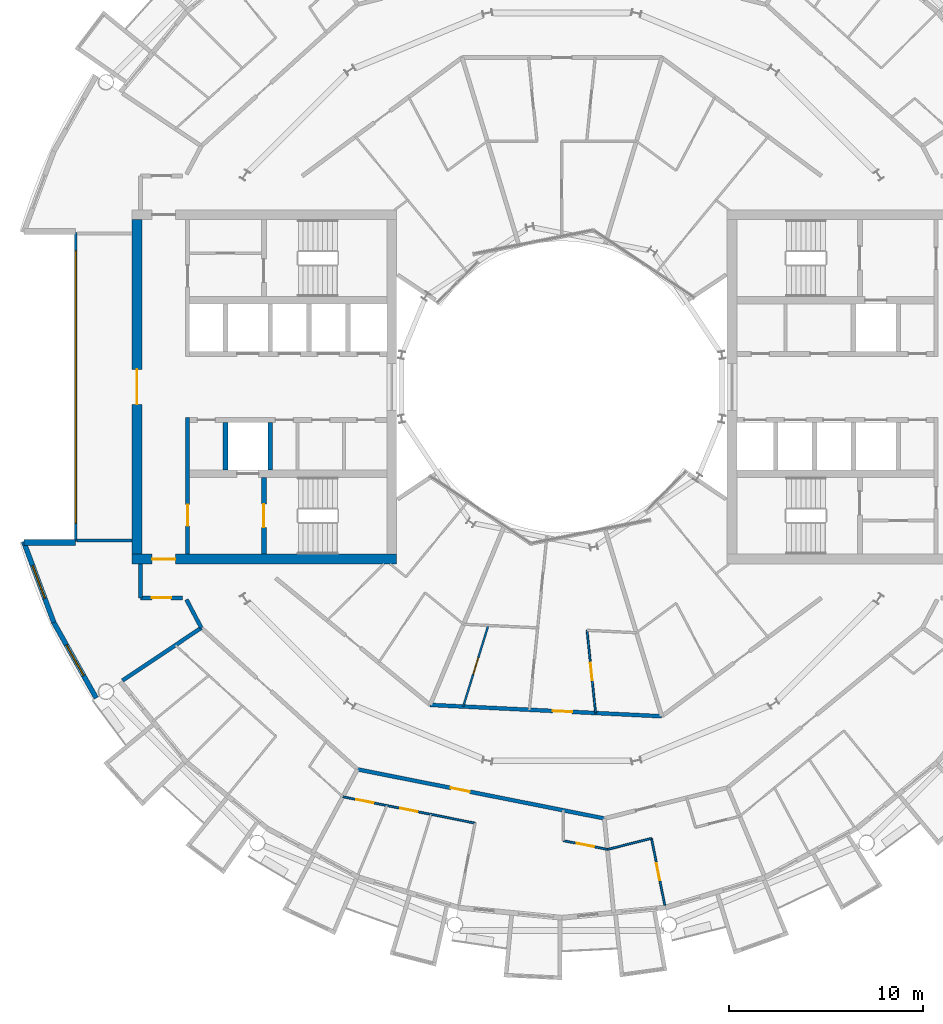
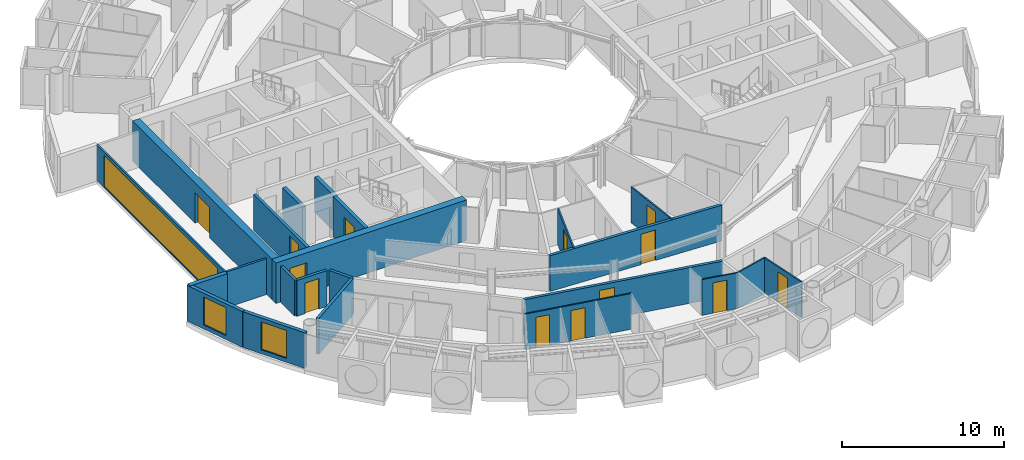
# One storey, part 15 of 26: 23 walls, 13 doors, 3 windows, 16 openings.
"""IFC4 building model written with IfcOpenShell, lengths in metres."""

from ifc_helpers import new_model, si_unit, direction, frame, frame_2d, origin, place, context, subcontext, project, spatial, rectangle, extrude, material, layer, layer_set, type_object, element, fill, save


model = new_model("IFC4")

# Units and contexts
model_context = context("Model", 3, precision=1e-05, world=origin(), true_north=direction((0.0, 1.0)))
body_context = subcontext(model_context, "Body", "Model", "MODEL_VIEW")
ifc_project = project(units=[si_unit("LENGTHUNIT", "METRE"), si_unit("AREAUNIT", "SQUARE_METRE"), si_unit("VOLUMEUNIT", "CUBIC_METRE"), si_unit("PLANEANGLEUNIT", "RADIAN"), si_unit("MASSUNIT", "GRAM", prefix="KILO")], contexts=[model_context])

# Site, building, storey
site_placement = place(None, origin())
site = spatial("IfcSite", under=ifc_project, at=site_placement, CompositionType="ELEMENT")
building_placement = place(site_placement, origin())
building = spatial("IfcBuilding", under=site, at=building_placement, Name="Maasbend Ring Residences", CompositionType="ELEMENT")
storey_placement = place(building_placement, frame((0.0, 0.0, 154.35009765625)))
storey = spatial("IfcBuildingStorey", under=building, at=storey_placement, Name="L44", CompositionType="ELEMENT", Elevation=154.35009765625)

# Wall, opening, door
ifc_material_1 = material(Name="Concrete C60/75", Category="concrete")
ifc_layer_1 = layer(ifc_material_1, 0.25)
ifc_layer_set_1 = layer_set([ifc_layer_1], Name="Concrete C60/75")
wall_type_1 = type_object("IfcWallType", Name="CORE WALL 250 C60/75", PredefinedType="SHEAR", material=ifc_layer_set_1)
wall_1_placement = place(storey_placement, frame((-15.324951171875, -4.64990234375, 0.0), z_axis=(0.0, 0.0, 1.0), x_axis=(0.0, -1.0, 0.0)))
wall_1 = element("IfcWall", 1, at=wall_1_placement, inside=storey, type_object=wall_type_1, Name="L44 core W wall STEN", PredefinedType="SHEAR", context=body_context, shape_type="SweptSolid", body=[
    extrude(rectangle(XDim=3.9501953125, YDim=0.25, at=frame_2d((1.97509765625, 0.0))), origin(), (0.0, 0.0, 1.0), 3.0498046875),
])
opening_1_placement = place(wall_1_placement, frame((1.375, 0.0, 0.0)))
opening_1 = element("IfcOpeningElement", 2, at=opening_1_placement, cuts=wall_1, Name="Opening D-W4411", PredefinedType="OPENING", context=body_context, shape_type="SweptSolid", body=[
    extrude(rectangle(XDim=1.199951171875, YDim=2.300048828125, at=frame_2d((0.60009765625, 1.14990234375))), frame((0.0, 0.135009765625, 0.0), z_axis=(0.0, -1.0, 0.0), x_axis=(1.0, 0.0, 0.0)), (0.0, 0.0, 1.0), 0.27001953125),
])
ifc_material_2 = material(Name="Steel, powder coated", Category="steel")
door_type_1 = type_object("IfcDoorType", Name="STAIR DOOR 1200 X 2300 FD60", OperationType="NOTDEFINED", PredefinedType="DOOR", material=ifc_material_2)
door_1_placement = place(opening_1_placement, origin())
door_1 = element("IfcDoor", 3, at=door_1_placement, inside=storey, type_object=door_type_1, Name="Stair door ST-W L44", OperationType="SINGLE_SWING_LEFT", OverallHeight=2.300048828125, OverallWidth=1.199951171875, PredefinedType="DOOR", context=body_context, shape_type="SweptSolid", body=[
    extrude(rectangle(XDim=1.199951171875, YDim=2.300048828125, at=frame_2d((0.60009765625, 1.14990234375))), frame((0.0, 0.02490234375, 0.0), z_axis=(0.0, -1.0, 0.0), x_axis=(1.0, 0.0, 0.0)), (0.0, 0.0, 1.0), 0.050048828125),
])
fill(opening_1, door_1)

ifc_material_3 = material(Name="Concrete C60/75", Category="concrete")
ifc_layer_2 = layer(ifc_material_3, 0.5)
ifc_layer_set_2 = layer_set([ifc_layer_2], Name="Concrete C60/75")
wall_type_2 = type_object("IfcWallType", Name="CORE WALL 500 C60/75", PredefinedType="SHEAR", material=ifc_layer_set_2)
wall_2_placement = place(storey_placement, frame((-22.10009765625, -8.85009765625, 0.0), z_axis=(0.0, 0.0, 1.0), x_axis=(1.0, 0.0, 0.0)))
wall_2 = element("IfcWall", 4, at=wall_2_placement, inside=storey, type_object=wall_type_2, Name="L44 core W wall PN", PredefinedType="SHEAR", context=body_context, shape_type="SweptSolid", body=[
    extrude(rectangle(XDim=13.60009765625, YDim=0.5, at=frame_2d((6.800048828125, 0.0))), origin(), (0.0, 0.0, 1.0), 3.0498046875),
])
opening_2_placement = place(wall_2_placement, frame((1.02490234375, 0.0, 0.0)))
opening_2 = element("IfcOpeningElement", 5, at=opening_2_placement, cuts=wall_2, Name="Opening D-W4415", PredefinedType="OPENING", context=body_context, shape_type="SweptSolid", body=[
    extrude(rectangle(XDim=1.199951171875, YDim=2.300048828125, at=frame_2d((0.60009765625, 1.14990234375))), frame((0.0, 0.260009765625, 0.0), z_axis=(0.0, -1.0, 0.0), x_axis=(1.0, 0.0, 0.0)), (0.0, 0.0, 1.0), 0.52001953125),
])
ifc_material_4 = material(Name="Steel, powder coated", Category="steel")
door_type_2 = type_object("IfcDoorType", Name="CORRIDOR DOOR 1200 X 2300 FD30S", OperationType="NOTDEFINED", PredefinedType="DOOR", material=ifc_material_4)
door_2_placement = place(opening_2_placement, origin())
door_2 = element("IfcDoor", 6, at=door_2_placement, inside=storey, type_object=door_type_2, Name="Corridor door L44", OperationType="SINGLE_SWING_RIGHT", OverallHeight=2.300048828125, OverallWidth=1.199951171875, PredefinedType="DOOR", context=body_context, shape_type="SweptSolid", body=[
    extrude(rectangle(XDim=1.199951171875, YDim=2.300048828125, at=frame_2d((0.60009765625, 1.14990234375))), frame((0.0, 0.02490234375, 0.0), z_axis=(0.0, -1.0, 0.0), x_axis=(1.0, 0.0, 0.0)), (0.0, 0.0, 1.0), 0.050048828125),
])
fill(opening_2, door_2)

wall_3_placement = place(storey_placement, frame((-21.85009765625, -8.60009765625, 0.0), z_axis=(0.0, 0.0, 1.0), x_axis=(0.0, 1.0, 0.0)))
wall_3 = element("IfcWall", 7, at=wall_3_placement, inside=storey, type_object=wall_type_2, Name="L44 core W wall POUT", PredefinedType="SHEAR", context=body_context, shape_type="SweptSolid", body=[
    extrude(rectangle(XDim=17.2001953125, YDim=0.5, at=frame_2d((8.60009765625, 0.0))), origin(), (0.0, 0.0, 1.0), 3.0498046875),
])
opening_3_placement = place(wall_3_placement, frame((7.699951171875, 0.0, 0.0)))
opening_3 = element("IfcOpeningElement", 8, at=opening_3_placement, cuts=wall_3, Name="Opening D-W4417", PredefinedType="OPENING", context=body_context, shape_type="SweptSolid", body=[
    extrude(rectangle(XDim=1.800048828125, YDim=2.300048828125, at=frame_2d((0.89990234375, 1.14990234375))), frame((0.0, 0.260009765625, 0.0), z_axis=(0.0, -1.0, 0.0), x_axis=(1.0, 0.0, 0.0)), (0.0, 0.0, 1.0), 0.52001953125),
])
ifc_material_5 = material(Name="Aluminium frame, clear glass", Category="aluminium")
door_type_3 = type_object("IfcDoorType", Name="ENTRANCE DOOR 1800 X 2300 FD60", OperationType="NOTDEFINED", PredefinedType="DOOR", material=ifc_material_5)
door_3_placement = place(opening_3_placement, origin())
door_3 = element("IfcDoor", 9, at=door_3_placement, inside=storey, type_object=door_type_3, Name="Lobby glazed door L44", OperationType="SINGLE_SWING_LEFT", OverallHeight=2.300048828125, OverallWidth=1.800048828125, PredefinedType="DOOR", context=body_context, shape_type="SweptSolid", body=[
    extrude(rectangle(XDim=1.800048828125, YDim=2.300048828125, at=frame_2d((0.89990234375, 1.14990234375))), frame((0.0, 0.02490234375, 0.0), z_axis=(0.0, -1.0, 0.0), x_axis=(1.0, 0.0, 0.0)), (0.0, 0.0, 1.0), 0.050048828125),
])
fill(opening_3, door_3)

# Wall
ifc_material_6 = material(Name="Concrete C30/37", Category="concrete")
ifc_layer_3 = layer(ifc_material_6, 0.199951171875)
ifc_layer_set_3 = layer_set([ifc_layer_3], Name="Concrete C30/37")
wall_type_3 = type_object("IfcWallType", Name="CORRIDOR WALL 200 CONCRETE", PredefinedType="PARTITIONING", material=ifc_layer_set_3)
wall_4_placement = place(storey_placement, frame((-19.306884765625, -10.93505859375, 0.0), z_axis=(0.0, 0.0, 1.0), x_axis=(0.465605550524, -0.884992356646, 0.0)))
element("IfcWall", 10, at=wall_4_placement, inside=storey, type_object=wall_type_3, Name="U-L44-w009", PredefinedType="PARTITIONING", context=body_context, shape_type="SweptSolid", body=[
    extrude(rectangle(XDim=1.642822265625, YDim=0.199951171875, at=frame_2d((0.8212890625, 0.0))), origin(), (0.0, 0.0, 1.0), 2.699951171875),
])

# Wall, opening, door
wall_5_placement = place(storey_placement, frame((-10.511962890625, -19.6669921875, 0.0), z_axis=(0.0, 0.0, 1.0), x_axis=(0.980780341017, -0.195115152343, 0.0)))
wall_5 = element("IfcWall", 11, at=wall_5_placement, inside=storey, type_object=wall_type_3, Name="U-L44-w015", PredefinedType="PARTITIONING", context=body_context, shape_type="SweptSolid", body=[
    extrude(rectangle(XDim=12.94677734375, YDim=0.199951171875, at=frame_2d((6.473388671875, 0.0))), origin(), (0.0, 0.0, 1.0), 2.699951171875),
])
opening_4_placement = place(wall_5_placement, frame((4.89404296875, 0.0, 0.0)))
opening_4 = element("IfcOpeningElement", 12, at=opening_4_placement, cuts=wall_5, Name="Opening D-4438", PredefinedType="OPENING", context=body_context, shape_type="SweptSolid", body=[
    extrude(rectangle(XDim=1.0, YDim=2.300048828125, at=frame_2d((0.5, 1.14990234375))), frame((0.0, 0.10986328125, 0.0), z_axis=(0.0, -1.0, 0.0), x_axis=(1.0, 0.0, 0.0)), (0.0, 0.0, 1.0), 0.219970703125),
])
ifc_material_7 = material(Name="Timber, fire-rated, painted", Category="wood")
door_type_4 = type_object("IfcDoorType", Name="FLAT ENTRANCE DOOR 1000 X 2300 FIRE-RATED", OperationType="NOTDEFINED", PredefinedType="DOOR", material=ifc_material_7)
door_4_placement = place(opening_4_placement, origin())
door_4 = element("IfcDoor", 13, at=door_4_placement, inside=storey, type_object=door_type_4, Name="D-4438", OperationType="SINGLE_SWING_LEFT", OverallHeight=2.300048828125, OverallWidth=1.0, PredefinedType="DOOR", context=body_context, shape_type="SweptSolid", body=[
    extrude(rectangle(XDim=1.0, YDim=2.300048828125, at=frame_2d((0.5, 1.14990234375))), frame((0.0, 0.02490234375, 0.0), z_axis=(0.0, -1.0, 0.0), x_axis=(1.0, 0.0, 0.0)), (0.0, 0.0, 1.0), 0.050048828125),
])
fill(opening_4, door_4)

wall_6_placement = place(storey_placement, frame((-6.778076171875, -16.35302734375, 0.0), z_axis=(0.0, 0.0, 1.0), x_axis=(0.998797244, -0.049031269395, 0.0)))
wall_6 = element("IfcWall", 14, at=wall_6_placement, inside=storey, type_object=wall_type_3, Name="U-L44-w018", PredefinedType="PARTITIONING", context=body_context, shape_type="SweptSolid", body=[
    extrude(rectangle(XDim=11.930419921875, YDim=0.199951171875, at=frame_2d((5.96533203125, 0.0))), origin(), (0.0, 0.0, 1.0), 2.699951171875),
])
opening_5_placement = place(wall_6_placement, frame((6.321044921875, 0.0, 0.0)))
opening_5 = element("IfcOpeningElement", 15, at=opening_5_placement, cuts=wall_6, Name="Opening D-4455", PredefinedType="OPENING", context=body_context, shape_type="SweptSolid", body=[
    extrude(rectangle(XDim=1.0, YDim=2.300048828125, at=frame_2d((0.5, 1.14990234375))), frame((0.0, 0.10986328125, 0.0), z_axis=(0.0, -1.0, 0.0), x_axis=(1.0, 0.0, 0.0)), (0.0, 0.0, 1.0), 0.219970703125),
])
door_5_placement = place(opening_5_placement, origin())
door_5 = element("IfcDoor", 16, at=door_5_placement, inside=storey, type_object=door_type_4, Name="D-4455", OperationType="SINGLE_SWING_RIGHT", OverallHeight=2.300048828125, OverallWidth=1.0, PredefinedType="DOOR", context=body_context, shape_type="SweptSolid", body=[
    extrude(rectangle(XDim=1.0, YDim=2.300048828125, at=frame_2d((0.5, 1.14990234375))), frame((0.0, 0.02490234375, 0.0), z_axis=(0.0, -1.0, 0.0), x_axis=(1.0, 0.0, 0.0)), (0.0, 0.0, 1.0), 0.050048828125),
])
fill(opening_5, door_5)

wall_7_placement = place(storey_placement, frame((-21.675048828125, -10.85009765625, 0.0), z_axis=(0.0, 0.0, 1.0), x_axis=(1.0, 0.0, 0.0)))
wall_7 = element("IfcWall", 17, at=wall_7_placement, inside=storey, type_object=wall_type_3, Name="U-L44-w026", PredefinedType="PARTITIONING", context=body_context, shape_type="SweptSolid", body=[
    extrude(rectangle(XDim=2.171142578125, YDim=0.199951171875, at=frame_2d((1.08544921875, 0.0))), origin(), (0.0, 0.0, 1.0), 2.699951171875),
])
opening_6_placement = place(wall_7_placement, frame((0.5849609375, 0.0, 0.0)))
opening_6 = element("IfcOpeningElement", 18, at=opening_6_placement, cuts=wall_7, Name="Opening D-4464", PredefinedType="OPENING", context=body_context, shape_type="SweptSolid", body=[
    extrude(rectangle(XDim=1.0, YDim=2.300048828125, at=frame_2d((0.5, 1.14990234375))), frame((0.0, 0.10986328125, 0.0), z_axis=(0.0, -1.0, 0.0), x_axis=(1.0, 0.0, 0.0)), (0.0, 0.0, 1.0), 0.219970703125),
])
ifc_material_8 = material(Name="Timber, painted", Category="wood")
door_type_5 = type_object("IfcDoorType", Name="ROOM DOOR 1000 X 2300", OperationType="NOTDEFINED", PredefinedType="DOOR", material=ifc_material_8)
door_6_placement = place(opening_6_placement, origin())
door_6 = element("IfcDoor", 19, at=door_6_placement, inside=storey, type_object=door_type_5, Name="D-4464", OperationType="SINGLE_SWING_LEFT", OverallHeight=2.300048828125, OverallWidth=1.0, PredefinedType="DOOR", context=body_context, shape_type="SweptSolid", body=[
    extrude(rectangle(XDim=1.0, YDim=2.300048828125, at=frame_2d((0.5, 1.14990234375))), frame((0.0, 0.02490234375, 0.0), z_axis=(0.0, -1.0, 0.0), x_axis=(1.0, 0.0, 0.0)), (0.0, 0.0, 1.0), 0.050048828125),
])
fill(opening_6, door_6)

# Wall
wall_8_placement = place(storey_placement, frame((-21.675048828125, -10.85009765625, 0.0), z_axis=(0.0, 0.0, 1.0), x_axis=(0.0, 1.0, 0.0)))
element("IfcWall", 20, at=wall_8_placement, inside=storey, type_object=wall_type_3, Name="U-L44-w106", PredefinedType="PARTITIONING", context=body_context, shape_type="SweptSolid", body=[
    extrude(rectangle(XDim=1.75, YDim=0.199951171875, at=frame_2d((0.875, 0.0))), origin(), (0.0, 0.0, 1.0), 2.699951171875),
])

# Wall, opening, window
ifc_material_9 = material(Name="Aluminium clad insulated panel", Category="aluminium")
ifc_layer_4 = layer(ifc_material_9, 0.25)
ifc_layer_set_4 = layer_set([ifc_layer_4], Name="EW-HORN")
wall_type_4 = type_object("IfcWallType", Name="EW-HORN", PredefinedType="SOLIDWALL", material=ifc_layer_set_4)
wall_9_placement = place(storey_placement, frame((-27.681884765625, -7.945068359375, 0.0), z_axis=(0.0, 0.0, 1.0), x_axis=(0.349247811493, -0.937030397675, 0.0)))
wall_9 = element("IfcWall", 21, at=wall_9_placement, inside=storey, type_object=wall_type_4, Name="Horn wall 3.1", PredefinedType="SOLIDWALL", context=body_context, shape_type="SweptSolid", body=[
    extrude(rectangle(XDim=4.4521484375, YDim=0.25, at=frame_2d((2.22607421875, 0.0))), origin(), (0.0, 0.0, 1.0), 2.699951171875),
])
opening_7_placement = place(wall_9_placement, frame((1.32666015625, 0.0, 0.300048828125)))
opening_7 = element("IfcOpeningElement", 22, at=opening_7_placement, cuts=wall_9, Name="Opening W-BX", PredefinedType="OPENING", context=body_context, shape_type="SweptSolid", body=[
    extrude(rectangle(XDim=1.800048828125, YDim=2.10009765625, at=frame_2d((0.89990234375, 1.050048828125))), frame((0.0, 0.135009765625, 0.0), z_axis=(0.0, -1.0, 0.0), x_axis=(1.0, 0.0, 0.0)), (0.0, 0.0, 1.0), 0.27001953125),
])
ifc_material_10 = material(Name="Aluminium and clear glass", Category="aluminium")
window_type_1 = type_object("IfcWindowType", Name="W-BX", PartitioningType="DOUBLE_PANEL_VERTICAL", PredefinedType="WINDOW", material=ifc_material_10)
window_1_placement = place(opening_7_placement, origin())
window_1 = element("IfcWindow", 23, at=window_1_placement, inside=storey, type_object=window_type_1, Name="Horn window 3.1", OverallHeight=2.10009765625, OverallWidth=1.800048828125, PartitioningType="SINGLE_PANEL", PredefinedType="WINDOW", context=body_context, shape_type="SweptSolid", body=[
    extrude(rectangle(XDim=1.800048828125, YDim=2.10009765625, at=frame_2d((0.89990234375, 1.050048828125))), frame((0.0, 0.030029296875, 0.0), z_axis=(0.0, -1.0, 0.0), x_axis=(1.0, 0.0, 0.0)), (0.0, 0.0, 1.0), 0.06005859375),
])
fill(opening_7, window_1)

wall_10_placement = place(storey_placement, frame((-26.126953125, -12.116943359375, 0.0), z_axis=(0.0, 0.0, 1.0), x_axis=(0.489696356642, -0.871893042919, 0.0)))
wall_10 = element("IfcWall", 24, at=wall_10_placement, inside=storey, type_object=wall_type_4, Name="Horn wall 3.2", PredefinedType="SOLIDWALL", context=body_context, shape_type="SweptSolid", body=[
    extrude(rectangle(XDim=4.45361328125, YDim=0.25, at=frame_2d((2.226806640625, 0.0))), origin(), (0.0, 0.0, 1.0), 2.699951171875),
])
opening_8_placement = place(wall_10_placement, frame((1.32666015625, 0.0, 0.300048828125)))
opening_8 = element("IfcOpeningElement", 25, at=opening_8_placement, cuts=wall_10, Name="Opening W-BX", PredefinedType="OPENING", context=body_context, shape_type="SweptSolid", body=[
    extrude(rectangle(XDim=1.800048828125, YDim=2.10009765625, at=frame_2d((0.89990234375, 1.050048828125))), frame((0.0, 0.135009765625, 0.0), z_axis=(0.0, -1.0, 0.0), x_axis=(1.0, 0.0, 0.0)), (0.0, 0.0, 1.0), 0.27001953125),
])
window_2_placement = place(opening_8_placement, origin())
window_2 = element("IfcWindow", 26, at=window_2_placement, inside=storey, type_object=window_type_1, Name="Horn window 3.2", OverallHeight=2.10009765625, OverallWidth=1.800048828125, PartitioningType="SINGLE_PANEL", PredefinedType="WINDOW", context=body_context, shape_type="SweptSolid", body=[
    extrude(rectangle(XDim=1.800048828125, YDim=2.10009765625, at=frame_2d((0.89990234375, 1.050048828125))), frame((0.0, 0.030029296875, 0.0), z_axis=(0.0, -1.0, 0.0), x_axis=(1.0, 0.0, 0.0)), (0.0, 0.0, 1.0), 0.06005859375),
])
fill(opening_8, window_2)

# Wall
ifc_material_11 = material(Name="Aluminium clad insulated panel", Category="aluminium")
ifc_layer_5 = layer(ifc_material_11, 0.300048828125)
ifc_layer_set_5 = layer_set([ifc_layer_5], Name="EW-RET")
wall_type_5 = type_object("IfcWallType", Name="EW-RET", PredefinedType="SOLIDWALL", material=ifc_layer_set_5)
wall_11_placement = place(storey_placement, frame((-25.0, -8.0, 0.0), z_axis=(0.0, 0.0, 1.0), x_axis=(-1.0, 0.0, 0.0)))
element("IfcWall", 27, at=wall_11_placement, inside=storey, type_object=wall_type_5, Name="Notch return wall west south", PredefinedType="SOLIDWALL", context=body_context, shape_type="SweptSolid", body=[
    extrude(rectangle(XDim=2.6669921875, YDim=0.300048828125, at=frame_2d((1.33349609375, 0.0))), origin(), (0.0, 0.0, 1.0), 2.699951171875),
])

# Wall, opening, window
ifc_material_12 = material(Name="Aluminium frame and clear glass", Category="aluminium")
ifc_layer_6 = layer(ifc_material_12, 0.1201171875)
ifc_layer_set_6 = layer_set([ifc_layer_6], Name="GLAZED SCREEN WALL 120 EI 60")
wall_type_6 = type_object("IfcWallType", Name="GLAZED SCREEN WALL 120 EI 60", PredefinedType="PARTITIONING", material=ifc_layer_set_6)
wall_12_placement = place(storey_placement, frame((-25.0, 7.949951171875, 0.0), z_axis=(0.0, 0.0, 1.0), x_axis=(0.0, -1.0, 0.0)))
wall_12 = element("IfcWall", 28, at=wall_12_placement, inside=storey, type_object=wall_type_6, Name="L44 core W wall FACE", PredefinedType="PARTITIONING", context=body_context, shape_type="SweptSolid", body=[
    extrude(rectangle(XDim=15.89990234375, YDim=0.1201171875, at=frame_2d((7.949951171875, 0.0))), origin(), (0.0, 0.0, 1.0), 2.699951171875),
])
opening_9_placement = place(wall_12_placement, frame((0.949951171875, 0.0, 0.10009765625)))
opening_9 = element("IfcOpeningElement", 29, at=opening_9_placement, cuts=wall_12, Name="Opening W-W4402", PredefinedType="OPENING", context=body_context, shape_type="SweptSolid", body=[
    extrude(rectangle(XDim=14.0, YDim=2.35009765625, at=frame_2d((7.0, 1.175048828125))), frame((0.0, 0.070068359375, 0.0), z_axis=(0.0, -1.0, 0.0), x_axis=(1.0, 0.0, 0.0)), (0.0, 0.0, 1.0), 0.14013671875),
])
ifc_material_13 = material(Name="Aluminium frame and clear glass", Category="aluminium")
window_type_2 = type_object("IfcWindowType", Name="FIXED WINDOW 14000 X 2350", PartitioningType="SINGLE_PANEL", PredefinedType="WINDOW", material=ifc_material_13)
window_3_placement = place(opening_9_placement, origin())
window_3 = element("IfcWindow", 30, at=window_3_placement, inside=storey, type_object=window_type_2, Name="Lobby window L44", OverallHeight=2.35009765625, OverallWidth=14.0, PartitioningType="SINGLE_PANEL", PredefinedType="WINDOW", context=body_context, shape_type="SweptSolid", body=[
    extrude(rectangle(XDim=14.0, YDim=2.35009765625, at=frame_2d((7.0, 1.175048828125))), frame((0.0, 0.030029296875, 0.0), z_axis=(0.0, -1.0, 0.0), x_axis=(1.0, 0.0, 0.0)), (0.0, 0.0, 1.0), 0.06005859375),
])
fill(opening_9, window_3)

# Wall
ifc_material_14 = material(Name="Gypsum board on steel studs", Category="steel")
ifc_layer_7 = layer(ifc_material_14, 0.10009765625)
ifc_layer_set_7 = layer_set([ifc_layer_7], Name="PARTITION 100 GYPSUM")
wall_type_7 = type_object("IfcWallType", Name="PARTITION 100 GYPSUM", PredefinedType="PARTITIONING", material=ifc_layer_set_7)
wall_13_placement = place(storey_placement, frame((2.341064453125, -23.784912109375, 0.0), z_axis=(0.0, 0.0, 1.0), x_axis=(0.970124059177, 0.242609376996, 0.0)))
element("IfcWall", 31, at=wall_13_placement, inside=storey, type_object=wall_type_7, Name="U-L44-w001", PredefinedType="PARTITIONING", context=body_context, shape_type="SweptSolid", body=[
    extrude(rectangle(XDim=2.336669921875, YDim=0.10009765625, at=frame_2d((1.16845703125, 0.0))), origin(), (0.0, 0.0, 1.0), 2.699951171875),
])

# Wall, openings, doors
wall_14_placement = place(storey_placement, frame((-11.263916015625, -21.080078125, 0.0), z_axis=(0.0, 0.0, 1.0), x_axis=(0.980795304313, -0.195039921651, 0.0)))
wall_14 = element("IfcWall", 32, at=wall_14_placement, inside=storey, type_object=wall_type_7, Name="U-L44-w005", PredefinedType="PARTITIONING", context=body_context, shape_type="SweptSolid", body=[
    extrude(rectangle(XDim=6.937255859375, YDim=0.10009765625, at=frame_2d((3.46875, 0.0))), origin(), (0.0, 0.0, 1.0), 2.699951171875),
])
opening_10_placement = place(wall_14_placement, frame((3.01611328125, 0.0, 0.0)))
opening_10 = element("IfcOpeningElement", 33, at=opening_10_placement, cuts=wall_14, Name="Opening D-4441", PredefinedType="OPENING", context=body_context, shape_type="SweptSolid", body=[
    extrude(rectangle(XDim=0.89990234375, YDim=2.300048828125, at=frame_2d((0.449951171875, 1.14990234375))), frame((0.0, 0.06005859375, 0.0), z_axis=(0.0, -1.0, 0.0), x_axis=(1.0, 0.0, 0.0)), (0.0, 0.0, 1.0), 0.1201171875),
])
opening_11_placement = place(wall_14_placement, frame((0.7041015625, 0.0, 0.0)))
opening_11 = element("IfcOpeningElement", 34, at=opening_11_placement, cuts=wall_14, Name="Opening D-4442", PredefinedType="OPENING", context=body_context, shape_type="SweptSolid", body=[
    extrude(rectangle(XDim=0.89990234375, YDim=2.300048828125, at=frame_2d((0.449951171875, 1.14990234375))), frame((0.0, 0.06005859375, 0.0), z_axis=(0.0, -1.0, 0.0), x_axis=(1.0, 0.0, 0.0)), (0.0, 0.0, 1.0), 0.1201171875),
])
ifc_material_15 = material(Name="Timber, painted", Category="wood")
door_type_6 = type_object("IfcDoorType", Name="INTERNAL DOOR 900 X 2300", OperationType="NOTDEFINED", PredefinedType="DOOR", material=ifc_material_15)
door_7_placement = place(opening_10_placement, origin())
door_7 = element("IfcDoor", 35, at=door_7_placement, inside=storey, type_object=door_type_6, Name="D-4441", OperationType="SINGLE_SWING_LEFT", OverallHeight=2.300048828125, OverallWidth=0.89990234375, PredefinedType="DOOR", context=body_context, shape_type="SweptSolid", body=[
    extrude(rectangle(XDim=0.89990234375, YDim=2.300048828125, at=frame_2d((0.449951171875, 1.14990234375))), frame((0.0, 0.02490234375, 0.0), z_axis=(0.0, -1.0, 0.0), x_axis=(1.0, 0.0, 0.0)), (0.0, 0.0, 1.0), 0.050048828125),
])
fill(opening_10, door_7)
door_8_placement = place(opening_11_placement, origin())
door_8 = element("IfcDoor", 36, at=door_8_placement, inside=storey, type_object=door_type_6, Name="D-4442", OperationType="SINGLE_SWING_LEFT", OverallHeight=2.300048828125, OverallWidth=0.89990234375, PredefinedType="DOOR", context=body_context, shape_type="SweptSolid", body=[
    extrude(rectangle(XDim=0.89990234375, YDim=2.300048828125, at=frame_2d((0.449951171875, 1.14990234375))), frame((0.0, 0.02490234375, 0.0), z_axis=(0.0, -1.0, 0.0), x_axis=(1.0, 0.0, 0.0)), (0.0, 0.0, 1.0), 0.050048828125),
])
fill(opening_11, door_8)

# Wall, opening, door
wall_15_placement = place(storey_placement, frame((0.073974609375, -23.333984375, 0.0), z_axis=(0.0, 0.0, 1.0), x_axis=(0.98081942231, -0.194918600496, 0.0)))
wall_15 = element("IfcWall", 37, at=wall_15_placement, inside=storey, type_object=wall_type_7, Name="U-L44-w006", PredefinedType="PARTITIONING", context=body_context, shape_type="SweptSolid", body=[
    extrude(rectangle(XDim=2.3134765625, YDim=0.10009765625, at=frame_2d((1.15673828125, 0.0))), origin(), (0.0, 0.0, 1.0), 2.699951171875),
])
opening_12_placement = place(wall_15_placement, frame((0.70703125, 0.0, 0.0)))
opening_12 = element("IfcOpeningElement", 38, at=opening_12_placement, cuts=wall_15, Name="Opening D-4439", PredefinedType="OPENING", context=body_context, shape_type="SweptSolid", body=[
    extrude(rectangle(XDim=0.89990234375, YDim=2.300048828125, at=frame_2d((0.449951171875, 1.14990234375))), frame((0.0, 0.06005859375, 0.0), z_axis=(0.0, -1.0, 0.0), x_axis=(1.0, 0.0, 0.0)), (0.0, 0.0, 1.0), 0.1201171875),
])
door_9_placement = place(opening_12_placement, origin())
door_9 = element("IfcDoor", 39, at=door_9_placement, inside=storey, type_object=door_type_6, Name="D-4439", OperationType="SINGLE_SWING_RIGHT", OverallHeight=2.300048828125, OverallWidth=0.89990234375, PredefinedType="DOOR", context=body_context, shape_type="SweptSolid", body=[
    extrude(rectangle(XDim=0.89990234375, YDim=2.300048828125, at=frame_2d((0.449951171875, 1.14990234375))), frame((0.0, 0.02490234375, 0.0), z_axis=(0.0, -1.0, 0.0), x_axis=(1.0, 0.0, 0.0)), (0.0, 0.0, 1.0), 0.050048828125),
])
fill(opening_12, door_9)

wall_16_placement = place(storey_placement, frame((-5.072021484375, -16.43603515625, 0.0), z_axis=(0.0, 0.0, 1.0), x_axis=(0.294934866503, 0.955517359612, 0.0)))
wall_16 = element("IfcWall", 40, at=wall_16_placement, inside=storey, type_object=wall_type_7, Name="U-L44-w056", PredefinedType="PARTITIONING", context=body_context, shape_type="SweptSolid", body=[
    extrude(rectangle(XDim=4.364013671875, YDim=0.10009765625, at=frame_2d((2.18212890625, 0.0))), origin(), (0.0, 0.0, 1.0), 2.699951171875),
])
opening_13_placement = place(wall_16_placement, frame((1.73193359375, 0.0, 0.0)))
opening_13 = element("IfcOpeningElement", 41, at=opening_13_placement, cuts=wall_16, Name="Opening D-4458", PredefinedType="OPENING", context=body_context, shape_type="SweptSolid", body=[
    extrude(rectangle(XDim=0.89990234375, YDim=2.300048828125, at=frame_2d((0.449951171875, 1.14990234375))), frame((0.0, 0.06005859375, 0.0), z_axis=(0.0, -1.0, 0.0), x_axis=(1.0, 0.0, 0.0)), (0.0, 0.0, 1.0), 0.1201171875),
])
door_10_placement = place(opening_13_placement, origin())
door_10 = element("IfcDoor", 42, at=door_10_placement, inside=storey, type_object=door_type_6, Name="D-4458", OperationType="SINGLE_SWING_RIGHT", OverallHeight=2.300048828125, OverallWidth=0.89990234375, PredefinedType="DOOR", context=body_context, shape_type="SweptSolid", body=[
    extrude(rectangle(XDim=0.89990234375, YDim=2.300048828125, at=frame_2d((0.449951171875, 1.14990234375))), frame((0.0, 0.02490234375, 0.0), z_axis=(0.0, -1.0, 0.0), x_axis=(1.0, 0.0, 0.0)), (0.0, 0.0, 1.0), 0.050048828125),
])
fill(opening_13, door_10)

wall_17_placement = place(storey_placement, frame((1.294921875, -12.514892578125, 0.0), z_axis=(0.0, 0.0, 1.0), x_axis=(0.102875790791, -0.994694210131, 0.0)))
wall_17 = element("IfcWall", 43, at=wall_17_placement, inside=storey, type_object=wall_type_7, Name="U-L44-w064", PredefinedType="PARTITIONING", context=body_context, shape_type="SweptSolid", body=[
    extrude(rectangle(XDim=4.27880859375, YDim=0.10009765625, at=frame_2d((2.139404296875, 0.0))), origin(), (0.0, 0.0, 1.0), 2.699951171875),
])
opening_14_placement = place(wall_17_placement, frame((1.68896484375, 0.0, 0.0)))
opening_14 = element("IfcOpeningElement", 44, at=opening_14_placement, cuts=wall_17, Name="Opening D-4456", PredefinedType="OPENING", context=body_context, shape_type="SweptSolid", body=[
    extrude(rectangle(XDim=0.89990234375, YDim=2.300048828125, at=frame_2d((0.449951171875, 1.14990234375))), frame((0.0, 0.06005859375, 0.0), z_axis=(0.0, -1.0, 0.0), x_axis=(1.0, 0.0, 0.0)), (0.0, 0.0, 1.0), 0.1201171875),
])
door_11_placement = place(opening_14_placement, origin())
door_11 = element("IfcDoor", 45, at=door_11_placement, inside=storey, type_object=door_type_6, Name="D-4456", OperationType="SINGLE_SWING_RIGHT", OverallHeight=2.300048828125, OverallWidth=0.89990234375, PredefinedType="DOOR", context=body_context, shape_type="SweptSolid", body=[
    extrude(rectangle(XDim=0.89990234375, YDim=2.300048828125, at=frame_2d((0.449951171875, 1.14990234375))), frame((0.0, 0.02490234375, 0.0), z_axis=(0.0, -1.0, 0.0), x_axis=(1.0, 0.0, 0.0)), (0.0, 0.0, 1.0), 0.050048828125),
])
fill(opening_14, door_11)

wall_18_placement = place(storey_placement, frame((4.610107421875, -23.217041015625, 0.0), z_axis=(0.0, 0.0, 1.0), x_axis=(0.194816685017, -0.980839670506, 0.0)))
wall_18 = element("IfcWall", 46, at=wall_18_placement, inside=storey, type_object=wall_type_7, Name="U-L44-w070", PredefinedType="PARTITIONING", context=body_context, shape_type="SweptSolid", body=[
    extrude(rectangle(XDim=3.505126953125, YDim=0.10009765625, at=frame_2d((1.75244140625, 0.0))), origin(), (0.0, 0.0, 1.0), 2.699951171875),
])
opening_15_placement = place(wall_18_placement, frame((1.302978515625, 0.0, 0.0)))
opening_15 = element("IfcOpeningElement", 47, at=opening_15_placement, cuts=wall_18, Name="Opening D-4445", PredefinedType="OPENING", context=body_context, shape_type="SweptSolid", body=[
    extrude(rectangle(XDim=0.89990234375, YDim=2.300048828125, at=frame_2d((0.449951171875, 1.14990234375))), frame((0.0, 0.06005859375, 0.0), z_axis=(0.0, -1.0, 0.0), x_axis=(1.0, 0.0, 0.0)), (0.0, 0.0, 1.0), 0.1201171875),
])
door_12_placement = place(opening_15_placement, origin())
door_12 = element("IfcDoor", 48, at=door_12_placement, inside=storey, type_object=door_type_6, Name="D-4445", OperationType="SINGLE_SWING_RIGHT", OverallHeight=2.300048828125, OverallWidth=0.89990234375, PredefinedType="DOOR", context=body_context, shape_type="SweptSolid", body=[
    extrude(rectangle(XDim=0.89990234375, YDim=2.300048828125, at=frame_2d((0.449951171875, 1.14990234375))), frame((0.0, 0.02490234375, 0.0), z_axis=(0.0, -1.0, 0.0), x_axis=(1.0, 0.0, 0.0)), (0.0, 0.0, 1.0), 0.050048828125),
])
fill(opening_15, door_12)

# Walls
ifc_material_16 = material(Name="Gypsum board on steel studs", Category="steel")
ifc_layer_8 = layer(ifc_material_16, 0.14990234375)
ifc_layer_set_8 = layer_set([ifc_layer_8], Name="PARTITION 150 EI 60")
wall_type_8 = type_object("IfcWallType", Name="PARTITION 150 EI 60", PredefinedType="PARTITIONING", material=ifc_layer_set_8)
wall_19_placement = place(storey_placement, frame((-22.10009765625, -7.89990234375, 0.0), z_axis=(0.0, 0.0, 1.0), x_axis=(-1.0, 0.0, 0.0)))
element("IfcWall", 49, at=wall_19_placement, inside=storey, type_object=wall_type_8, Name="L44 core W wall CITN", PredefinedType="PARTITIONING", context=body_context, shape_type="SweptSolid", body=[
    extrude(rectangle(XDim=2.83984375, YDim=0.14990234375, at=frame_2d((1.419921875, 0.0))), origin(), (0.0, 0.0, 1.0), 2.699951171875),
])
ifc_material_17 = material(Name="Concrete C30/37", Category="concrete")
ifc_layer_9 = layer(ifc_material_17, 0.199951171875)
ifc_layer_set_9 = layer_set([ifc_layer_9], Name="Concrete C30/37")
wall_type_9 = type_object("IfcWallType", Name="PARTY WALL 200 CONCRETE", PredefinedType="PARTITIONING", material=ifc_layer_set_9)
wall_20_placement = place(storey_placement, frame((-22.594970703125, -15.097900390625, 0.0), z_axis=(0.0, 0.0, 1.0), x_axis=(0.831387096605, 0.55569370664, 0.0)))
element("IfcWall", 50, at=wall_20_placement, inside=storey, type_object=wall_type_9, Name="U-L44-w034", PredefinedType="PARTITIONING", context=body_context, shape_type="SweptSolid", body=[
    extrude(rectangle(XDim=4.875, YDim=0.199951171875, at=frame_2d((2.4375, 0.0))), origin(), (0.0, 0.0, 1.0), 2.699951171875),
])

# Wall, opening, door
ifc_material_18 = material(Name="Concrete C30/37", Category="concrete")
ifc_layer_10 = layer(ifc_material_18, 0.199951171875)
ifc_layer_set_10 = layer_set([ifc_layer_10], Name="Concrete C30/37")
wall_type_10 = type_object("IfcWallType", Name="SHAFT WALL 200 EI 120", PredefinedType="SOLIDWALL", material=ifc_layer_set_10)
wall_21_placement = place(storey_placement, frame((-19.25, -1.574951171875, 0.0), z_axis=(0.0, 0.0, 1.0), x_axis=(0.0, -1.0, 0.0)))
wall_21 = element("IfcWall", 51, at=wall_21_placement, inside=storey, type_object=wall_type_10, Name="L44 core W wall ENDN", PredefinedType="SOLIDWALL", context=body_context, shape_type="SweptSolid", body=[
    extrude(rectangle(XDim=7.025146484375, YDim=0.199951171875, at=frame_2d((3.5126953125, 0.0))), origin(), (0.0, 0.0, 1.0), 2.699951171875),
])
opening_16_placement = place(wall_21_placement, frame((4.47509765625, 0.0, 0.0)))
opening_16 = element("IfcOpeningElement", 52, at=opening_16_placement, cuts=wall_21, Name="Opening D-W4413", PredefinedType="OPENING", context=body_context, shape_type="SweptSolid", body=[
    extrude(rectangle(XDim=1.10009765625, YDim=2.300048828125, at=frame_2d((0.550048828125, 1.14990234375))), frame((0.0, 0.10986328125, 0.0), z_axis=(0.0, -1.0, 0.0), x_axis=(1.0, 0.0, 0.0)), (0.0, 0.0, 1.0), 0.219970703125),
])
ifc_material_19 = material(Name="Steel, powder coated", Category="steel")
door_type_7 = type_object("IfcDoorType", Name="LOBBY DOOR 1100 X 2300 FD60", OperationType="NOTDEFINED", PredefinedType="DOOR", material=ifc_material_19)
door_13_placement = place(opening_16_placement, origin())
door_13 = element("IfcDoor", 53, at=door_13_placement, inside=storey, type_object=door_type_7, Name="Lobby door L44", OperationType="SINGLE_SWING_LEFT", OverallHeight=2.300048828125, OverallWidth=1.10009765625, PredefinedType="DOOR", context=body_context, shape_type="SweptSolid", body=[
    extrude(rectangle(XDim=1.10009765625, YDim=2.300048828125, at=frame_2d((0.550048828125, 1.14990234375))), frame((0.0, 0.02490234375, 0.0), z_axis=(0.0, -1.0, 0.0), x_axis=(1.0, 0.0, 0.0)), (0.0, 0.0, 1.0), 0.050048828125),
])
fill(opening_16, door_13)

# Walls
ifc_material_20 = material(Name="Concrete C30/37", Category="concrete")
ifc_layer_11 = layer(ifc_material_20, 0.25)
ifc_layer_set_11 = layer_set([ifc_layer_11], Name="Concrete C30/37")
wall_type_11 = type_object("IfcWallType", Name="SHAFT WALL 250 EI 120", PredefinedType="SOLIDWALL", material=ifc_layer_set_11)
for number, where, z_axis, x_axis, name in (
    (54, (-15.0, -1.824951171875, 0.0), (0.0, 0.0, 1.0), (0.0, -1.0, 0.0), "L44 core W wall D150N"),
    (55, (-17.300048828125, -1.824951171875, 0.0), (0.0, 0.0, 1.0), (0.0, -1.0, 0.0), "L44 core W wall D173N"),
):
    element("IfcWall", number, at=place(storey_placement, frame(where, z_axis=z_axis, x_axis=x_axis)), inside=storey, type_object=wall_type_11, Name=name, PredefinedType="SOLIDWALL", context=body_context, shape_type="SweptSolid", body=[
        extrude(rectangle(XDim=2.449951171875, YDim=0.25, at=frame_2d((1.22509765625, 0.0))), origin(), (0.0, 0.0, 1.0), 2.699951171875),
    ])

save(model, "model.ifc")
